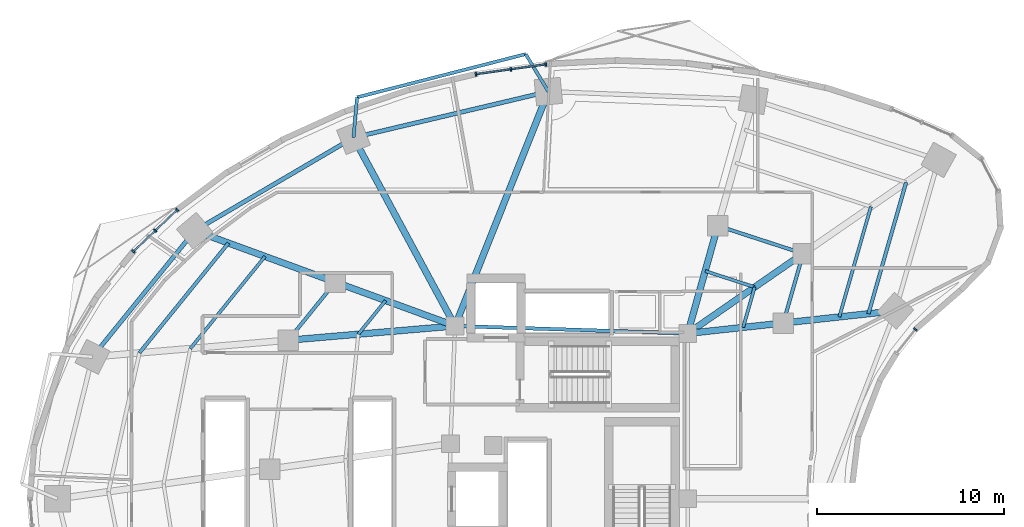
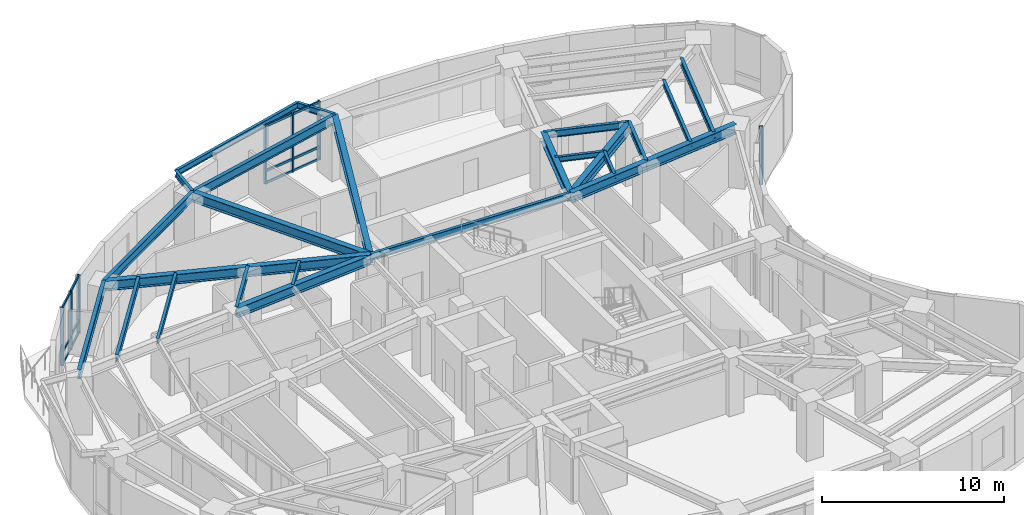
# One storey, part 5 of 15: 26 beams, 19 members, 3 elements without a shape of their own.
"""IFC4 building model written with IfcOpenShell, lengths in metres."""

from ifc_helpers import new_model, si_unit, direction, frame, origin, origin_2d, place, context, subcontext, project, spatial, rectangle, i_section, extrude, material, layer, layer_set, material_profile, profile_set, type_object, element, aggregate, save


model = new_model("IFC4")

# Units and contexts
model_context = context("Model", 3, precision=1e-05, world=origin(), true_north=direction((0.0, 1.0)))
body_context = subcontext(model_context, "Body", "Model", "MODEL_VIEW")
ifc_project = project(units=[si_unit("LENGTHUNIT", "METRE"), si_unit("AREAUNIT", "SQUARE_METRE"), si_unit("VOLUMEUNIT", "CUBIC_METRE"), si_unit("PLANEANGLEUNIT", "RADIAN"), si_unit("MASSUNIT", "GRAM", prefix="KILO")], contexts=[model_context])

# Site, building, storey
site_placement = place(None, origin())
site = spatial("IfcSite", under=ifc_project, at=site_placement, CompositionType="ELEMENT")
building_placement = place(site_placement, origin())
building = spatial("IfcBuilding", under=site, at=building_placement, Name="Korentha Bioscience Tower", CompositionType="ELEMENT")
storey_placement = place(building_placement, frame((0.0, 0.0, 30.0)))
storey = spatial("IfcBuildingStorey", under=building, at=storey_placement, Name="L06", CompositionType="ELEMENT", Elevation=30.0)

# Beams
ifc_material_1 = material(Name="Steel S355", Category="steel")
ifc_material_profile_1 = material_profile(ifc_material_1, i_section(OverallWidth=0.18994140625, OverallDepth=0.45703125, WebThickness=0.009033203125, FlangeThickness=0.014404296875, at=origin_2d()), Name="Steel S355")
ifc_profile_set_1 = profile_set([ifc_material_profile_1], Name="Steel S355 (MB-460)")
beam_type_1 = type_object("IfcBeamType", Name="Mid-Ring Tie Girder W460x74", PredefinedType="BEAM", material=ifc_profile_set_1)
beam_1_placement = place(storey_placement, frame((43.7265625, 40.121337890625, 3.67138671875), z_axis=(-0.950877001105, 0.309568940253, 0.0), x_axis=(-0.309568940253, -0.950877001105, 0.0)))
element("IfcBeam", 1, at=beam_1_placement, inside=storey, type_object=beam_type_1, Name="L06 Mid-Ring Tie Girder 01", PredefinedType="BEAM", context=body_context, shape_type="SweptSolid", body=[
    extrude(i_section(OverallWidth=0.18994140625, OverallDepth=0.45703125, WebThickness=0.009033203125, FlangeThickness=0.014404296875, at=origin_2d()), origin(), (0.0, 0.0, 1.0), 4.80126953125),
])
beam_2_placement = place(storey_placement, frame((18.692138671875, 38.5947265625, 3.67138671875), z_axis=(-0.629790009744, -0.776765436684, 0.0), x_axis=(0.776765436684, -0.629790009744, 0.0)))
element("IfcBeam", 2, at=beam_2_placement, inside=storey, type_object=beam_type_1, Name="L06 Mid-Ring Tie Girder 05", PredefinedType="BEAM", context=body_context, shape_type="SweptSolid", body=[
    extrude(i_section(OverallWidth=0.18994140625, OverallDepth=0.45703125, WebThickness=0.009033203125, FlangeThickness=0.014404296875, at=origin_2d()), origin(), (0.0, 0.0, 1.0), 3.998291015625),
])
beam_3_placement = place(storey_placement, frame((42.66162109375, 36.406982421875, 3.67138671875), z_axis=(0.27560557792, 0.961270807535, 0.0), x_axis=(-0.961270807535, 0.27560557792, 0.0)))
element("IfcBeam", 3, at=beam_3_placement, inside=storey, type_object=beam_type_1, Name="L06 Mid-Ring Tie Girder 16", PredefinedType="BEAM", context=body_context, shape_type="SweptSolid", body=[
    extrude(i_section(OverallWidth=0.18994140625, OverallDepth=0.45703125, WebThickness=0.009033203125, FlangeThickness=0.014404296875, at=origin_2d()), origin(), (0.0, 0.0, 1.0), 3.864013671875),
])
beam_4_placement = place(storey_placement, frame((37.550048828125, 35.85009765625, 3.67138671875), z_axis=(-0.999484526071, 0.032104238723, 0.0), x_axis=(-0.032104238723, -0.999484526071, 0.0)))
element("IfcBeam", 4, at=beam_4_placement, inside=storey, type_object=beam_type_1, Name="L06 Core Ring Tie Girder 01", PredefinedType="BEAM", context=body_context, shape_type="SweptSolid", body=[
    extrude(i_section(OverallWidth=0.18994140625, OverallDepth=0.45703125, WebThickness=0.009033203125, FlangeThickness=0.014404296875, at=origin_2d()), origin(), (0.0, 0.0, 1.0), 12.456298828125),
])

# Curtain wall, members
ifc_material_2 = material(Name="Thermally Broken Aluminium Frame", Category="aluminium")
ifc_layer = layer(ifc_material_2, 0.219970703125, Name="Thermally Broken Aluminium Frame")
ifc_layer_set = layer_set([ifc_layer], Name="Thermally Broken Aluminium Frame (CW-T1)")
curtain_wall_type = type_object("IfcCurtainWallType", Name="Standard Bioscience Lab Unitised Curtain Wall CW-T1", PredefinedType="USERDEFINED", material=ifc_layer_set)
curtain_wall_1_placement = place(storey_placement, origin())
curtain_wall_1 = element("IfcCurtainWall", 5, at=curtain_wall_1_placement, inside=storey, type_object=curtain_wall_type, Name="L06 Curtain Wall 07", ObjectType="UNITISED", PredefinedType="USERDEFINED")
ifc_material_3 = material(Name="Anodised Aluminium 6063-T6", Category="aluminium")
ifc_material_profile_2 = material_profile(ifc_material_3, rectangle(XDim=0.090087890625, YDim=0.199951171875, at=origin_2d()), Name="Anodised Aluminium 6063-T6")
ifc_profile_set_2 = profile_set([ifc_material_profile_2], Name="Anodised Aluminium 6063-T6 (CW-MUL)")
member_type_1 = type_object("IfcMemberType", Name="Mullion RECT 90x200", PredefinedType="MULLION", material=ifc_profile_set_2)
member_1_placement = place(storey_placement, frame((29.95849609375, 50.247802734375, 0.0), z_axis=(0.0, 0.0, 1.0), x_axis=(-0.990167372968, -0.139887717511, 0.0)))
member_1 = element("IfcMember", 6, at=member_1_placement, type_object=member_type_1, Name="CW-L06-07 Mullion 1", PredefinedType="MULLION", context=body_context, shape_type="SweptSolid", body=[
    extrude(rectangle(XDim=0.090087890625, YDim=0.199951171875, at=origin_2d()), origin(), (0.0, 0.0, 1.0), 3.89990234375),
])
member_2_placement = place(storey_placement, frame((28.086669921875, 49.9833984375, 0.0), z_axis=(0.0, 0.0, 1.0), x_axis=(-0.990167372968, -0.139887717511, 0.0)))
member_2 = element("IfcMember", 7, at=member_2_placement, type_object=member_type_1, Name="CW-L06-07 Mullion 2", PredefinedType="MULLION", context=body_context, shape_type="SweptSolid", body=[
    extrude(rectangle(XDim=0.090087890625, YDim=0.199951171875, at=origin_2d()), origin(), (0.0, 0.0, 1.0), 3.89990234375),
])
member_3_placement = place(storey_placement, frame((26.214599609375, 49.718994140625, 0.0), z_axis=(0.0, 0.0, 1.0), x_axis=(-0.990167372968, -0.139887717511, 0.0)))
member_3 = element("IfcMember", 8, at=member_3_placement, type_object=member_type_1, Name="CW-L06-07 Mullion 3", PredefinedType="MULLION", context=body_context, shape_type="SweptSolid", body=[
    extrude(rectangle(XDim=0.090087890625, YDim=0.199951171875, at=origin_2d()), origin(), (0.0, 0.0, 1.0), 3.89990234375),
])

curtain_wall_2_placement = place(storey_placement, origin())
curtain_wall_2 = element("IfcCurtainWall", 9, at=curtain_wall_2_placement, inside=storey, type_object=curtain_wall_type, Name="L06 Curtain Wall 13", ObjectType="UNITISED", PredefinedType="USERDEFINED")
member_4_placement = place(storey_placement, frame((10.228759765625, 42.467041015625, 0.0), z_axis=(0.0, 0.0, 1.0), x_axis=(-0.723641761581, -0.690175775361, 0.0)))
member_4 = element("IfcMember", 10, at=member_4_placement, type_object=member_type_1, Name="CW-L06-13 Mullion 1", PredefinedType="MULLION", context=body_context, shape_type="SweptSolid", body=[
    extrude(rectangle(XDim=0.090087890625, YDim=0.199951171875, at=origin_2d()), origin(), (0.0, 0.0, 1.0), 3.89990234375),
])
member_5_placement = place(storey_placement, frame((9.05908203125, 41.3515625, 0.0), z_axis=(0.0, 0.0, 1.0), x_axis=(-0.723641761581, -0.690175775361, 0.0)))
member_5 = element("IfcMember", 11, at=member_5_placement, type_object=member_type_1, Name="CW-L06-13 Mullion 2", PredefinedType="MULLION", context=body_context, shape_type="SweptSolid", body=[
    extrude(rectangle(XDim=0.090087890625, YDim=0.199951171875, at=origin_2d()), origin(), (0.0, 0.0, 1.0), 3.89990234375),
])
member_6_placement = place(storey_placement, frame((7.889404296875, 40.236083984375, 0.0), z_axis=(0.0, 0.0, 1.0), x_axis=(-0.723641761581, -0.690175775361, 0.0)))
member_6 = element("IfcMember", 12, at=member_6_placement, type_object=member_type_1, Name="CW-L06-13 Mullion 3", PredefinedType="MULLION", context=body_context, shape_type="SweptSolid", body=[
    extrude(rectangle(XDim=0.090087890625, YDim=0.199951171875, at=origin_2d()), origin(), (0.0, 0.0, 1.0), 3.89990234375),
])

# Curtain wall, member
curtain_wall_3_placement = place(storey_placement, origin())
curtain_wall_3 = element("IfcCurtainWall", 13, at=curtain_wall_3_placement, inside=storey, type_object=curtain_wall_type, Name="L06 Curtain Wall 55", ObjectType="UNITISED", PredefinedType="USERDEFINED")
member_7_placement = place(storey_placement, frame((49.73291015625, 36.072021484375, 0.0), z_axis=(0.0, 0.0, 1.0), x_axis=(0.622520324648, 0.782603632371, 0.0)))
member_7 = element("IfcMember", 14, at=member_7_placement, type_object=member_type_1, Name="CW-L06-55 Mullion 2", PredefinedType="MULLION", context=body_context, shape_type="SweptSolid", body=[
    extrude(rectangle(XDim=0.090087890625, YDim=0.199951171875, at=origin_2d()), origin(), (0.0, 0.0, 1.0), 3.89990234375),
])
aggregate(curtain_wall_3, [member_7])

# Beams
ifc_material_profile_3 = material_profile(ifc_material_1, i_section(OverallWidth=0.22802734375, OverallDepth=0.60791015625, WebThickness=0.01123046875, FlangeThickness=0.017333984375, at=origin_2d()), Name="Steel S355")
ifc_profile_set_3 = profile_set([ifc_material_profile_3], Name="Steel S355 (SB-610)")
beam_type_2 = type_object("IfcBeamType", Name="Perimeter Ring Spandrel Girder W610x113", PredefinedType="SPANDREL", material=ifc_profile_set_3)
beam_5_placement = place(storey_placement, frame((30.09423828125, 48.79248046875, 3.595947265625), z_axis=(-0.973207885376, -0.229926970672, 0.0), x_axis=(0.229926970672, -0.973207885376, 0.0)))
element("IfcBeam", 15, at=beam_5_placement, inside=storey, type_object=beam_type_2, Name="L06 Perimeter Spandrel Girder 03", PredefinedType="SPANDREL", context=body_context, shape_type="SweptSolid", body=[
    extrude(i_section(OverallWidth=0.22802734375, OverallDepth=0.60791015625, WebThickness=0.01123046875, FlangeThickness=0.017333984375, at=origin_2d()), origin(), (0.0, 0.0, 1.0), 10.71484375),
])
beam_6_placement = place(storey_placement, frame((19.66650390625, 46.328857421875, 3.595947265625), z_axis=(-0.862656574181, -0.505790109653, 0.0), x_axis=(0.505790109653, -0.862656574181, 0.0)))
element("IfcBeam", 16, at=beam_6_placement, inside=storey, type_object=beam_type_2, Name="L06 Perimeter Spandrel Girder 04", PredefinedType="SPANDREL", context=body_context, shape_type="SweptSolid", body=[
    extrude(i_section(OverallWidth=0.22802734375, OverallDepth=0.60791015625, WebThickness=0.01123046875, FlangeThickness=0.017333984375, at=origin_2d()), origin(), (0.0, 0.0, 1.0), 9.849365234375),
])
beam_7_placement = place(storey_placement, frame((11.169921875, 41.34716796875, 3.595947265625), z_axis=(-0.629799210231, -0.776757976974, 0.0), x_axis=(0.776757976974, -0.629799210231, 0.0)))
element("IfcBeam", 17, at=beam_7_placement, inside=storey, type_object=beam_type_2, Name="L06 Perimeter Spandrel Girder 05", PredefinedType="SPANDREL", context=body_context, shape_type="SweptSolid", body=[
    extrude(i_section(OverallWidth=0.22802734375, OverallDepth=0.60791015625, WebThickness=0.01123046875, FlangeThickness=0.017333984375, at=origin_2d()), origin(), (0.0, 0.0, 1.0), 8.69189453125),
])
ifc_material_profile_4 = material_profile(ifc_material_1, i_section(OverallWidth=0.18994140625, OverallDepth=0.45703125, WebThickness=0.009033203125, FlangeThickness=0.014404296875, at=origin_2d()), Name="Steel S355")
ifc_profile_set_4 = profile_set([ifc_material_profile_4], Name="Steel S355 (RB-460)")
beam_type_3 = type_object("IfcBeamType", Name="Radial Laboratory Beam W460x74", PredefinedType="BEAM", material=ifc_profile_set_4)
beam_8_placement = place(storey_placement, frame((12.97509765625, 40.6865234375, 3.67138671875), z_axis=(-0.629797748553, -0.776759162107, 0.0), x_axis=(0.776759162107, -0.629797748553, 0.0)))
element("IfcBeam", 18, at=beam_8_placement, inside=storey, type_object=beam_type_3, Name="L06 Secondary Floor Beam JSTO-05", PredefinedType="BEAM", context=body_context, shape_type="SweptSolid", body=[
    extrude(i_section(OverallWidth=0.18994140625, OverallDepth=0.45703125, WebThickness=0.009033203125, FlangeThickness=0.014404296875, at=origin_2d()), origin(), (0.0, 0.0, 1.0), 7.5654296875),
])
beam_9_placement = place(storey_placement, frame((47.2216796875, 36.90380859375, 3.67138671875), z_axis=(0.275682421415, 0.961248772443, 0.0), x_axis=(-0.961248772443, 0.275682421415, 0.0)))
element("IfcBeam", 19, at=beam_9_placement, inside=storey, type_object=beam_type_3, Name="L06 Secondary Floor Beam JSTO-16", PredefinedType="BEAM", context=body_context, shape_type="SweptSolid", body=[
    extrude(i_section(OverallWidth=0.18994140625, OverallDepth=0.45703125, WebThickness=0.009033203125, FlangeThickness=0.014404296875, at=origin_2d()), origin(), (0.0, 0.0, 1.0), 7.3115234375),
])
ifc_material_profile_5 = material_profile(ifc_material_1, i_section(OverallWidth=0.35009765625, OverallDepth=0.64990234375, WebThickness=0.01611328125, FlangeThickness=0.02490234375, at=origin_2d()), Name="Steel S355")
ifc_profile_set_5 = profile_set([ifc_material_profile_5], Name="Steel S355 (RB-650)")
beam_type_4 = type_object("IfcBeamType", Name="Radial Laboratory Girder CVS 650x208", PredefinedType="BEAM", material=ifc_profile_set_5)
beam_10_placement = place(storey_placement, frame((37.550048828125, 35.85009765625, 3.574951171875), z_axis=(0.822491697625, 0.568777115694, 0.0), x_axis=(-0.568777115694, 0.822491697625, 0.0)))
element("IfcBeam", 20, at=beam_10_placement, inside=storey, type_object=beam_type_4, Name="L06 Inner Radial Girder 01", PredefinedType="BEAM", context=body_context, shape_type="SweptSolid", body=[
    extrude(i_section(OverallWidth=0.35009765625, OverallDepth=0.64990234375, WebThickness=0.01611328125, FlangeThickness=0.02490234375, at=origin_2d()), origin(), (0.0, 0.0, 1.0), 7.509521484375),
])
beam_11_placement = place(storey_placement, frame((37.550048828125, 35.85009765625, 3.574951171875), z_axis=(0.269469369205, 0.963008961049, 0.0), x_axis=(-0.963008961049, 0.269469369205, 0.0)))
element("IfcBeam", 21, at=beam_11_placement, inside=storey, type_object=beam_type_4, Name="L06 Inner Radial Girder 02", PredefinedType="BEAM", context=body_context, shape_type="SweptSolid", body=[
    extrude(i_section(OverallWidth=0.35009765625, OverallDepth=0.64990234375, WebThickness=0.01611328125, FlangeThickness=0.02490234375, at=origin_2d()), origin(), (0.0, 0.0, 1.0), 5.978759765625),
])
beam_12_placement = place(storey_placement, frame((25.10009765625, 36.25, 3.574951171875), z_axis=(0.369931007413, 0.929059228335, 0.0), x_axis=(-0.929059228335, 0.369931007413, 0.0)))
element("IfcBeam", 22, at=beam_12_placement, inside=storey, type_object=beam_type_4, Name="L06 Radial Girder 03", PredefinedType="BEAM", context=body_context, shape_type="SweptSolid", body=[
    extrude(i_section(OverallWidth=0.35009765625, OverallDepth=0.64990234375, WebThickness=0.01611328125, FlangeThickness=0.02490234375, at=origin_2d()), origin(), (0.0, 0.0, 1.0), 13.500244140625),
])
beam_13_placement = place(storey_placement, frame((25.10009765625, 36.25, 3.574951171875), z_axis=(-0.47454097106, 0.880233416081, 0.0), x_axis=(-0.880233416081, -0.47454097106, 0.0)))
element("IfcBeam", 23, at=beam_13_placement, inside=storey, type_object=beam_type_4, Name="L06 Radial Girder 04", PredefinedType="BEAM", context=body_context, shape_type="SweptSolid", body=[
    extrude(i_section(OverallWidth=0.35009765625, OverallDepth=0.64990234375, WebThickness=0.01611328125, FlangeThickness=0.02490234375, at=origin_2d()), origin(), (0.0, 0.0, 1.0), 11.4501953125),
])
beam_14_placement = place(storey_placement, frame((25.10009765625, 36.25, 3.574951171875), z_axis=(-0.939106237741, 0.343626940498, 0.0), x_axis=(-0.343626940498, -0.939106237741, 0.0)))
element("IfcBeam", 24, at=beam_14_placement, inside=storey, type_object=beam_type_4, Name="L06 Inner Radial Girder 05", PredefinedType="BEAM", context=body_context, shape_type="SweptSolid", body=[
    extrude(i_section(OverallWidth=0.35009765625, OverallDepth=0.64990234375, WebThickness=0.01611328125, FlangeThickness=0.02490234375, at=origin_2d()), origin(), (0.0, 0.0, 1.0), 6.823486328125),
])
beam_15_placement = place(storey_placement, frame((18.692138671875, 38.5947265625, 3.574951171875), z_axis=(-0.939106299948, 0.343626770491, 0.0), x_axis=(-0.343626770491, -0.939106299948, 0.0)))
element("IfcBeam", 25, at=beam_15_placement, inside=storey, type_object=beam_type_4, Name="L06 Outer Radial Girder 05", PredefinedType="BEAM", context=body_context, shape_type="SweptSolid", body=[
    extrude(i_section(OverallWidth=0.35009765625, OverallDepth=0.64990234375, WebThickness=0.01611328125, FlangeThickness=0.02490234375, at=origin_2d()), origin(), (0.0, 0.0, 1.0), 8.010009765625),
])
beam_16_placement = place(storey_placement, frame((25.10009765625, 36.25, 3.574951171875), z_axis=(-0.996385503026, -0.08494662654, 0.0), x_axis=(0.08494662654, -0.996385503026, 0.0)))
element("IfcBeam", 26, at=beam_16_placement, inside=storey, type_object=beam_type_4, Name="L06 Inner Radial Girder 06", PredefinedType="BEAM", context=body_context, shape_type="SweptSolid", body=[
    extrude(i_section(OverallWidth=0.35009765625, OverallDepth=0.64990234375, WebThickness=0.01611328125, FlangeThickness=0.02490234375, at=origin_2d()), origin(), (0.0, 0.0, 1.0), 8.95849609375),
])
beam_17_placement = place(storey_placement, frame((37.550048828125, 35.85009765625, 3.574951171875), z_axis=(0.994117709144, 0.10830503389, 0.0), x_axis=(-0.10830503389, 0.994117709144, 0.0)))
element("IfcBeam", 27, at=beam_17_placement, inside=storey, type_object=beam_type_4, Name="L06 Inner Radial Girder 16", PredefinedType="BEAM", context=body_context, shape_type="SweptSolid", body=[
    extrude(i_section(OverallWidth=0.35009765625, OverallDepth=0.64990234375, WebThickness=0.01611328125, FlangeThickness=0.02490234375, at=origin_2d()), origin(), (0.0, 0.0, 1.0), 5.141845703125),
])
beam_18_placement = place(storey_placement, frame((42.66162109375, 36.406982421875, 3.574951171875), z_axis=(0.994115805925, 0.108322501862, 0.0), x_axis=(-0.108322501862, 0.994115805925, 0.0)))
element("IfcBeam", 28, at=beam_18_placement, inside=storey, type_object=beam_type_4, Name="L06 Outer Radial Girder 16", PredefinedType="BEAM", context=body_context, shape_type="SweptSolid", body=[
    extrude(i_section(OverallWidth=0.35009765625, OverallDepth=0.64990234375, WebThickness=0.01611328125, FlangeThickness=0.02490234375, at=origin_2d()), origin(), (0.0, 0.0, 1.0), 6.03564453125),
])
ifc_material_profile_6 = material_profile(ifc_material_1, i_section(OverallWidth=0.1708984375, OverallDepth=0.35498046875, WebThickness=0.007080078125, FlangeThickness=0.01171875, at=origin_2d()), Name="Steel S355")
ifc_profile_set_6 = profile_set([ifc_material_profile_6], Name="Steel S355 (JB-360)")
beam_type_5 = type_object("IfcBeamType", Name="Secondary Laboratory Joist W360x51", PredefinedType="JOIST", material=ifc_profile_set_6)
beam_19_placement = place(storey_placement, frame((41.13232421875, 38.327392578125, 3.722412109375), z_axis=(-0.950869630746, 0.309591578254, 0.0), x_axis=(-0.309591578254, -0.950869630746, 0.0)))
element("IfcBeam", 29, at=beam_19_placement, inside=storey, type_object=beam_type_5, Name="L06 Inner Bay Joist 01", PredefinedType="JOIST", context=body_context, shape_type="SweptSolid", body=[
    extrude(i_section(OverallWidth=0.1708984375, OverallDepth=0.35498046875, WebThickness=0.007080078125, FlangeThickness=0.01171875, at=origin_2d()), origin(), (0.0, 0.0, 1.0), 2.784423828125),
])
beam_20_placement = place(storey_placement, frame((14.930908203125, 39.970947265625, 3.722412109375), z_axis=(-0.629786899984, -0.776767958021, 0.0), x_axis=(0.776767958021, -0.629786899984, 0.0)))
element("IfcBeam", 30, at=beam_20_placement, inside=storey, type_object=beam_type_5, Name="L06 Secondary Floor Beam JST-05", PredefinedType="JOIST", context=body_context, shape_type="SweptSolid", body=[
    extrude(i_section(OverallWidth=0.1708984375, OverallDepth=0.35498046875, WebThickness=0.007080078125, FlangeThickness=0.01171875, at=origin_2d()), origin(), (0.0, 0.0, 1.0), 6.34521484375),
])
beam_21_placement = place(storey_placement, frame((21.38330078125, 37.60986328125, 3.722412109375), z_axis=(-0.629791657613, -0.776764100613, 0.0), x_axis=(0.776764100613, -0.629791657613, 0.0)))
element("IfcBeam", 31, at=beam_21_placement, inside=storey, type_object=beam_type_5, Name="L06 Inner Bay Joist 05", PredefinedType="JOIST", context=body_context, shape_type="SweptSolid", body=[
    extrude(i_section(OverallWidth=0.1708984375, OverallDepth=0.35498046875, WebThickness=0.007080078125, FlangeThickness=0.01171875, at=origin_2d()), origin(), (0.0, 0.0, 1.0), 2.31884765625),
])
beam_22_placement = place(storey_placement, frame((45.66162109375, 36.73388671875, 3.722412109375), z_axis=(0.275667500387, 0.96125305161, 0.0), x_axis=(-0.96125305161, 0.275667500387, 0.0)))
element("IfcBeam", 32, at=beam_22_placement, inside=storey, type_object=beam_type_5, Name="L06 Secondary Floor Beam JST-16", PredefinedType="JOIST", context=body_context, shape_type="SweptSolid", body=[
    extrude(i_section(OverallWidth=0.1708984375, OverallDepth=0.35498046875, WebThickness=0.007080078125, FlangeThickness=0.01171875, at=origin_2d()), origin(), (0.0, 0.0, 1.0), 6.132080078125),
])
beam_23_placement = place(storey_placement, frame((40.5146484375, 36.173095703125, 3.722412109375), z_axis=(0.275613067773, 0.961268660091, 0.0), x_axis=(-0.961268660091, 0.275613067773, 0.0)))
element("IfcBeam", 33, at=beam_23_placement, inside=storey, type_object=beam_type_5, Name="L06 Inner Bay Joist 16", PredefinedType="JOIST", context=body_context, shape_type="SweptSolid", body=[
    extrude(i_section(OverallWidth=0.1708984375, OverallDepth=0.35498046875, WebThickness=0.007080078125, FlangeThickness=0.01171875, at=origin_2d()), origin(), (0.0, 0.0, 1.0), 2.2412109375),
])
ifc_material_profile_7 = material_profile(ifc_material_1, i_section(OverallWidth=0.177978515625, OverallDepth=0.406982421875, WebThickness=0.0078125, FlangeThickness=0.0126953125, at=origin_2d()), Name="Steel S355")
ifc_profile_set_7 = profile_set([ifc_material_profile_7], Name="Steel S355 (CB-410)")
beam_type_6 = type_object("IfcBeamType", Name="Sun-Ledge Cantilever Beam W410x60", PredefinedType="BEAM", material=ifc_profile_set_7)
beam_24_placement = place(storey_placement, frame((30.09423828125, 48.79248046875, 3.698486328125), z_axis=(-0.51833402313, 0.855178250697, 0.0), x_axis=(-0.855178250697, -0.51833402313, 0.0)))
element("IfcBeam", 34, at=beam_24_placement, inside=storey, type_object=beam_type_6, Name="L06 Balcony Cantilever Bracket A-L07-01", PredefinedType="BEAM", context=body_context, shape_type="SweptSolid", body=[
    extrude(i_section(OverallWidth=0.177978515625, OverallDepth=0.406982421875, WebThickness=0.0078125, FlangeThickness=0.0126953125, at=origin_2d()), origin(), (0.0, 0.0, 1.0), 2.3447265625),
])
beam_25_placement = place(storey_placement, frame((19.66650390625, 46.328857421875, 3.698486328125), z_axis=(0.087637055072, 0.996152471552, 0.0), x_axis=(-0.996152471552, 0.087637055072, 0.0)))
element("IfcBeam", 35, at=beam_25_placement, inside=storey, type_object=beam_type_6, Name="L06 Balcony Cantilever Bracket B-L07-01", PredefinedType="BEAM", context=body_context, shape_type="SweptSolid", body=[
    extrude(i_section(OverallWidth=0.177978515625, OverallDepth=0.406982421875, WebThickness=0.0078125, FlangeThickness=0.0126953125, at=origin_2d()), origin(), (0.0, 0.0, 1.0), 2.16455078125),
])
beam_26_placement = place(storey_placement, frame((28.87890625, 50.797607421875, 3.698486328125), z_axis=(-0.968690055761, -0.24827318798, 0.0), x_axis=(0.24827318798, -0.968690055761, 0.0)))
element("IfcBeam", 36, at=beam_26_placement, inside=storey, type_object=beam_type_6, Name="L06 Balcony Edge Trimmer Beam L07-01", PredefinedType="BEAM", context=body_context, shape_type="SweptSolid", body=[
    extrude(i_section(OverallWidth=0.177978515625, OverallDepth=0.406982421875, WebThickness=0.0078125, FlangeThickness=0.0126953125, at=origin_2d()), origin(), (0.0, 0.0, 1.0), 9.314453125),
])

# Member
ifc_material_profile_8 = material_profile(ifc_material_3, rectangle(XDim=0.090087890625, YDim=0.159912109375, at=origin_2d()), Name="Anodised Aluminium 6063-T6")
ifc_profile_set_8 = profile_set([ifc_material_profile_8], Name="Anodised Aluminium 6063-T6 (CW-TRN)")
member_type_2 = type_object("IfcMemberType", Name="Transom RECT 90x160", PredefinedType="USERDEFINED", material=ifc_profile_set_8)
member_8_placement = place(storey_placement, frame((29.913818359375, 50.24169921875, 0.044921875), z_axis=(-0.990159924061, -0.139940432982, 0.0), x_axis=(0.139940432982, -0.990159924061, 0.0)))
member_8 = element("IfcMember", 37, at=member_8_placement, type_object=member_type_2, Name="CW-L06-07 Bay 1 Transom 1", ObjectType="TRANSOM", PredefinedType="USERDEFINED", context=body_context, shape_type="SweptSolid", body=[
    extrude(rectangle(XDim=0.090087890625, YDim=0.159912109375, at=origin_2d()), origin(), (0.0, 0.0, 1.0), 1.800537109375),
])

member_9_placement = place(storey_placement, frame((29.913818359375, 50.24169921875, 0.85009765625), z_axis=(-0.990159924061, -0.139940432982, 0.0), x_axis=(0.139940432982, -0.990159924061, 0.0)))
member_9 = element("IfcMember", 38, at=member_9_placement, type_object=member_type_2, Name="CW-L06-07 Bay 1 Transom 2", ObjectType="TRANSOM", PredefinedType="USERDEFINED", context=body_context, shape_type="SweptSolid", body=[
    extrude(rectangle(XDim=0.090087890625, YDim=0.159912109375, at=origin_2d()), origin(), (0.0, 0.0, 1.0), 1.800537109375),
])

member_10_placement = place(storey_placement, frame((29.913818359375, 50.24169921875, 3.85498046875), z_axis=(-0.990159924061, -0.139940432982, 0.0), x_axis=(0.139940432982, -0.990159924061, 0.0)))
member_10 = element("IfcMember", 39, at=member_10_placement, type_object=member_type_2, Name="CW-L06-07 Bay 1 Transom 3", ObjectType="TRANSOM", PredefinedType="USERDEFINED", context=body_context, shape_type="SweptSolid", body=[
    extrude(rectangle(XDim=0.090087890625, YDim=0.159912109375, at=origin_2d()), origin(), (0.0, 0.0, 1.0), 1.800537109375),
])

member_11_placement = place(storey_placement, frame((28.0419921875, 49.977294921875, 0.044921875), z_axis=(-0.990159924061, -0.139940432982, 0.0), x_axis=(0.139940432982, -0.990159924061, 0.0)))
member_11 = element("IfcMember", 40, at=member_11_placement, type_object=member_type_2, Name="CW-L06-07 Bay 2 Transom 1", ObjectType="TRANSOM", PredefinedType="USERDEFINED", context=body_context, shape_type="SweptSolid", body=[
    extrude(rectangle(XDim=0.090087890625, YDim=0.159912109375, at=origin_2d()), origin(), (0.0, 0.0, 1.0), 1.800537109375),
])

member_12_placement = place(storey_placement, frame((28.0419921875, 49.977294921875, 0.85009765625), z_axis=(-0.990159924061, -0.139940432982, 0.0), x_axis=(0.139940432982, -0.990159924061, 0.0)))
member_12 = element("IfcMember", 41, at=member_12_placement, type_object=member_type_2, Name="CW-L06-07 Bay 2 Transom 2", ObjectType="TRANSOM", PredefinedType="USERDEFINED", context=body_context, shape_type="SweptSolid", body=[
    extrude(rectangle(XDim=0.090087890625, YDim=0.159912109375, at=origin_2d()), origin(), (0.0, 0.0, 1.0), 1.800537109375),
])

member_13_placement = place(storey_placement, frame((28.0419921875, 49.977294921875, 3.85498046875), z_axis=(-0.990159924061, -0.139940432982, 0.0), x_axis=(0.139940432982, -0.990159924061, 0.0)))
member_13 = element("IfcMember", 42, at=member_13_placement, type_object=member_type_2, Name="CW-L06-07 Bay 2 Transom 3", ObjectType="TRANSOM", PredefinedType="USERDEFINED", context=body_context, shape_type="SweptSolid", body=[
    extrude(rectangle(XDim=0.090087890625, YDim=0.159912109375, at=origin_2d()), origin(), (0.0, 0.0, 1.0), 1.800537109375),
])

aggregate(curtain_wall_1, [member_1, member_2, member_3, member_8, member_9, member_10, member_11, member_12, member_13])

member_14_placement = place(storey_placement, frame((10.1962890625, 42.43603515625, 0.044921875), z_axis=(-0.72370039216, -0.690114296612, 0.0), x_axis=(0.690114296612, -0.72370039216, 0.0)))
member_14 = element("IfcMember", 43, at=member_14_placement, type_object=member_type_2, Name="CW-L06-13 Bay 1 Transom 1", ObjectType="TRANSOM", PredefinedType="USERDEFINED", context=body_context, shape_type="SweptSolid", body=[
    extrude(rectangle(XDim=0.090087890625, YDim=0.159912109375, at=origin_2d()), origin(), (0.0, 0.0, 1.0), 1.526611328125),
])

member_15_placement = place(storey_placement, frame((10.1962890625, 42.43603515625, 0.85009765625), z_axis=(-0.72370039216, -0.690114296612, 0.0), x_axis=(0.690114296612, -0.72370039216, 0.0)))
member_15 = element("IfcMember", 44, at=member_15_placement, type_object=member_type_2, Name="CW-L06-13 Bay 1 Transom 2", ObjectType="TRANSOM", PredefinedType="USERDEFINED", context=body_context, shape_type="SweptSolid", body=[
    extrude(rectangle(XDim=0.090087890625, YDim=0.159912109375, at=origin_2d()), origin(), (0.0, 0.0, 1.0), 1.526611328125),
])

member_16_placement = place(storey_placement, frame((10.1962890625, 42.43603515625, 3.85498046875), z_axis=(-0.72370039216, -0.690114296612, 0.0), x_axis=(0.690114296612, -0.72370039216, 0.0)))
member_16 = element("IfcMember", 45, at=member_16_placement, type_object=member_type_2, Name="CW-L06-13 Bay 1 Transom 3", ObjectType="TRANSOM", PredefinedType="USERDEFINED", context=body_context, shape_type="SweptSolid", body=[
    extrude(rectangle(XDim=0.090087890625, YDim=0.159912109375, at=origin_2d()), origin(), (0.0, 0.0, 1.0), 1.526611328125),
])

member_17_placement = place(storey_placement, frame((9.026611328125, 41.320556640625, 0.044921875), z_axis=(-0.72370039216, -0.690114296612, 0.0), x_axis=(0.690114296612, -0.72370039216, 0.0)))
member_17 = element("IfcMember", 46, at=member_17_placement, type_object=member_type_2, Name="CW-L06-13 Bay 2 Transom 1", ObjectType="TRANSOM", PredefinedType="USERDEFINED", context=body_context, shape_type="SweptSolid", body=[
    extrude(rectangle(XDim=0.090087890625, YDim=0.159912109375, at=origin_2d()), origin(), (0.0, 0.0, 1.0), 1.526611328125),
])

member_18_placement = place(storey_placement, frame((9.026611328125, 41.320556640625, 0.85009765625), z_axis=(-0.72370039216, -0.690114296612, 0.0), x_axis=(0.690114296612, -0.72370039216, 0.0)))
member_18 = element("IfcMember", 47, at=member_18_placement, type_object=member_type_2, Name="CW-L06-13 Bay 2 Transom 2", ObjectType="TRANSOM", PredefinedType="USERDEFINED", context=body_context, shape_type="SweptSolid", body=[
    extrude(rectangle(XDim=0.090087890625, YDim=0.159912109375, at=origin_2d()), origin(), (0.0, 0.0, 1.0), 1.526611328125),
])

member_19_placement = place(storey_placement, frame((9.026611328125, 41.320556640625, 3.85498046875), z_axis=(-0.72370039216, -0.690114296612, 0.0), x_axis=(0.690114296612, -0.72370039216, 0.0)))
member_19 = element("IfcMember", 48, at=member_19_placement, type_object=member_type_2, Name="CW-L06-13 Bay 2 Transom 3", ObjectType="TRANSOM", PredefinedType="USERDEFINED", context=body_context, shape_type="SweptSolid", body=[
    extrude(rectangle(XDim=0.090087890625, YDim=0.159912109375, at=origin_2d()), origin(), (0.0, 0.0, 1.0), 1.526611328125),
])

aggregate(curtain_wall_2, [member_4, member_5, member_6, member_14, member_15, member_16, member_17, member_18, member_19])

save(model, "model.ifc")
